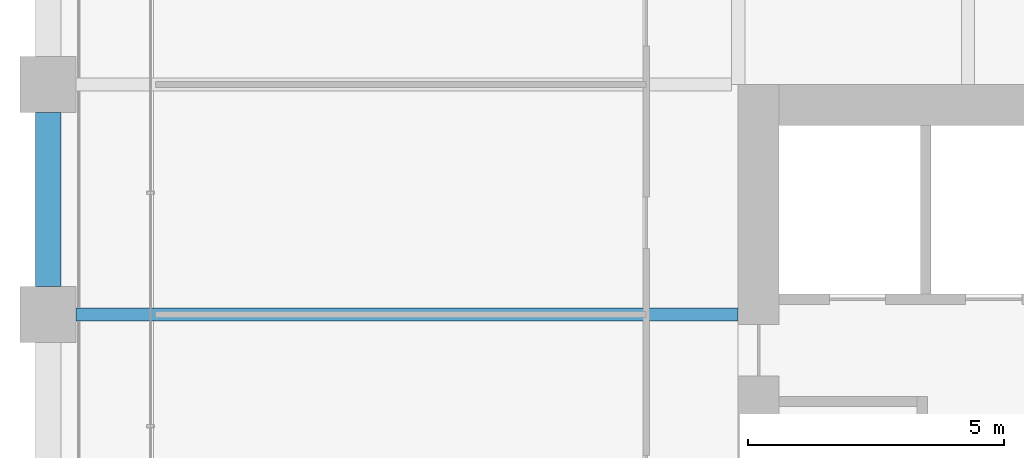
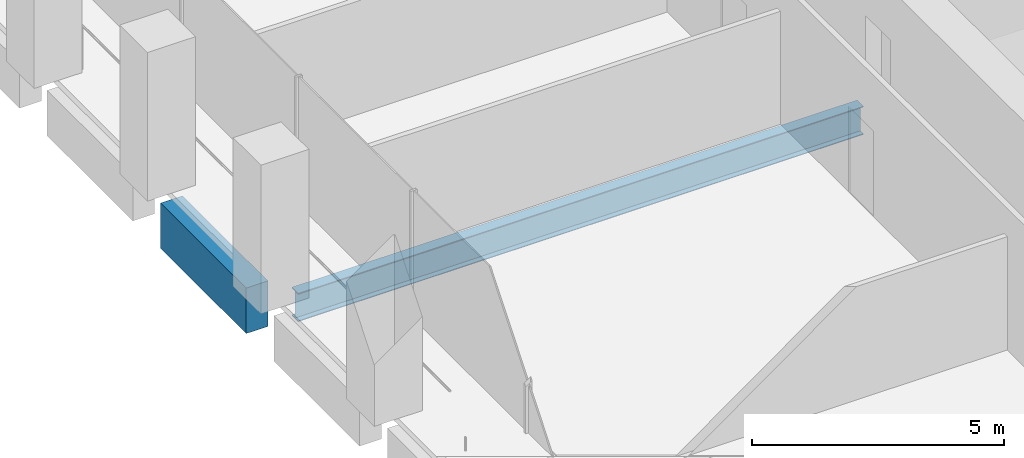
# One storey, part 13 of 56: 2 beams.
"""IFC4 building model written with IfcOpenShell, lengths in metres."""

import ifcopenshell
import ifcopenshell.guid

model = None  # the IFC model being written
_history = None  # IfcOwnerHistory: only IFC2X3 demands one
_inside = {}  # id of a spatial element -> (the spatial element, [elements in it])
_under = {}  # id of a project, library or spatial element -> (it, [spatial elements below it])
_declared = {}  # id of a project -> (the project, [libraries it declares])
_typed = {}  # id of a type object -> (the type object, [elements of that type])
_made_of = {}  # id of a material, layer set ... -> (it, [elements and type objects made of it])


def new_model(schema):
    """Start an empty IFC model of exactly this schema.

    Asked for "IFC4X3", IfcOpenShell would pick the latest addendum, in which some entities
    have other attributes; the version numbers below select the first issue.
    IFC2X3 requires an IfcOwnerHistory on every rooted entity: one is made here for all.
    """
    global model, _history
    if schema == "IFC4X3":
        model = ifcopenshell.file(schema_version=(4, 3, 0, 0))
    else:
        model = ifcopenshell.file(schema=schema)
    _inside.clear()
    _under.clear()
    _declared.clear()
    _typed.clear()
    _made_of.clear()
    _history = None
    if model.schema == "IFC2X3":
        org = make("IfcOrganization", Name="unknown")
        user = make(
            "IfcPersonAndOrganization",
            ThePerson=make("IfcPerson", FamilyName="unknown"),
            TheOrganization=org,
        )
        app = make(
            "IfcApplication",
            ApplicationDeveloper=org,
            Version="unknown",
            ApplicationFullName="unknown",
            ApplicationIdentifier="unknown",
        )
        _history = make(
            "IfcOwnerHistory",
            OwningUser=user,
            OwningApplication=app,
            ChangeAction="ADDED",
            CreationDate=0,
        )
    return model


def make(cls, **values):
    """One entity of the class cls with the attributes given. An attribute that is None is left unset."""
    return model.create_entity(
        cls, **{name: value for name, value in values.items() if value is not None}
    )


def rooted(cls, **values):
    """An entity with a GlobalId (a new one), such as an element, a storey or a relation."""
    return make(cls, GlobalId=ifcopenshell.guid.new(), OwnerHistory=_history, **values)


def si_unit(unit_type, name, prefix=None):
    """IfcSIUnit, for example si_unit("LENGTHUNIT", "METRE", prefix="MILLI")."""
    return make("IfcSIUnit", UnitType=unit_type, Prefix=prefix, Name=name)


def assignment(units):
    """IfcUnitAssignment: the units of a project."""
    return None if units is None else make("IfcUnitAssignment", Units=units)


def point(xyz):
    """IfcCartesianPoint."""
    return None if xyz is None else make("IfcCartesianPoint", Coordinates=xyz)


def direction(xyz):
    """IfcDirection."""
    return None if xyz is None else make("IfcDirection", DirectionRatios=xyz)


def frame(location, z_axis=None, x_axis=None):
    """IfcAxis2Placement3D, a coordinate frame: its origin and axes. An axis left out is left unset."""
    return make(
        "IfcAxis2Placement3D",
        Location=point(location),
        Axis=direction(z_axis),
        RefDirection=direction(x_axis),
    )


def frame_2d(location, x_axis=None):
    """IfcAxis2Placement2D, a coordinate frame in the plane: its origin and x axis."""
    return make(
        "IfcAxis2Placement2D", Location=point(location), RefDirection=direction(x_axis)
    )


def origin():
    """The frame at (0, 0, 0) with its axes left unset."""
    return frame((0.0, 0.0, 0.0))


def origin_2d():
    """The frame at (0, 0) in the plane with its x axis left unset."""
    return frame_2d((0.0, 0.0))


def place(relative_to, where):
    """IfcLocalPlacement: puts the frame where relative to a parent placement (None: the world)."""
    return make(
        "IfcLocalPlacement", PlacementRelTo=relative_to, RelativePlacement=where
    )


def context(
    kind, dimensions, precision=None, world=None, true_north=None, identifier=None
):
    """IfcGeometricRepresentationContext, for example the 3D "Model" context."""
    return make(
        "IfcGeometricRepresentationContext",
        ContextIdentifier=identifier,
        ContextType=kind,
        CoordinateSpaceDimension=dimensions,
        Precision=precision,
        WorldCoordinateSystem=world,
        TrueNorth=true_north,
    )


def subcontext(parent, identifier, kind, view, scale=None):
    """IfcGeometricRepresentationSubContext, for example "Body" below "Model"."""
    return make(
        "IfcGeometricRepresentationSubContext",
        ContextIdentifier=identifier,
        ContextType=kind,
        ParentContext=parent,
        TargetScale=scale,
        TargetView=view,
    )


def project(units=None, contexts=None):
    """IfcProject with its units and contexts."""
    return rooted(
        "IfcProject",
        Name="project",
        RepresentationContexts=contexts,
        UnitsInContext=assignment(units),
    )


def spatial(cls, under=None, at=None, **own):
    """A site, building, storey or space (cls), placed at a placement, below another one or the project."""
    s = rooted(cls, ObjectPlacement=at, **own)
    if under is not None:
        _under.setdefault(under.id(), (under, []))[1].append(s)
    return s


def profile(cls, at=None, kind="AREA", **sizes):
    """A parametric profile (cls). Its sizes go by their IFC names, for example OverallWidth=200.0."""
    return make(cls, ProfileType=kind, Position=at, **sizes)


def rectangle(**sizes):
    """IfcRectangleProfileDef."""
    return profile("IfcRectangleProfileDef", **sizes)


def i_section(**sizes):
    """IfcIShapeProfileDef."""
    return profile("IfcIShapeProfileDef", **sizes)


def extrude(swept, where, along, depth):
    """IfcExtrudedAreaSolid: the profile swept, set in the frame where, extruded along a direction by depth."""
    return make(
        "IfcExtrudedAreaSolid",
        SweptArea=swept,
        Position=where,
        ExtrudedDirection=direction(along),
        Depth=depth,
    )


def shape(context_of_items, identifier, shape_type, items):
    """IfcShapeRepresentation: the items that make up one representation, for example the "Body"."""
    return make(
        "IfcShapeRepresentation",
        ContextOfItems=context_of_items,
        RepresentationIdentifier=identifier,
        RepresentationType=shape_type,
        Items=items,
    )


def material(Name=None, Category=None):
    """IfcMaterial."""
    return make("IfcMaterial", Name=Name, Category=Category)


def material_profile(
    of_material, cross_section, Name=None, Category=None, Priority=None
):
    """IfcMaterialProfile: a cross section and its material."""
    return make(
        "IfcMaterialProfile",
        Name=Name,
        Material=of_material,
        Profile=cross_section,
        Priority=Priority,
        Category=Category,
    )


def profile_set(profiles, Name=None, composite=None):
    """IfcMaterialProfileSet."""
    return make(
        "IfcMaterialProfileSet",
        Name=Name,
        MaterialProfiles=profiles,
        CompositeProfile=composite,
    )


def made_of(thing, what):
    """Note that an element or type object is made of a material, layer set ...; save() writes the relation."""
    if what is not None:
        _made_of.setdefault(what.id(), (what, []))[1].append(thing)
    return thing


def type_object(cls, material=None, **own):
    """A type object (cls), such as IfcWallType, which elements share."""
    return made_of(rooted(cls, **own), material)


def element(
    cls,
    number,
    at=None,
    inside=None,
    cuts=None,
    type_object=None,
    material=None,
    context=None,
    identifier="Body",
    shape_type=None,
    held_by="IfcProductDefinitionShape",
    body=None,
    shapes=None,
    **own,
):
    """One element of the class cls, such as IfcWall. Its Tag is "e" and its number.

    at: its placement. inside: the storey or other place that contains it. cuts: it is an
    opening in that element (IfcRelVoidsElement). A single representation is given by context,
    identifier, shape_type and body (its items); several are given by shapes. held_by: the class
    of the entity that holds the representations. save() writes the other relations.
    """
    e = rooted(cls, Tag="e%d" % number, ObjectPlacement=at, **own)
    if body is not None:
        shapes = [shape(context, identifier, shape_type, body)]
    if shapes is not None:
        e.Representation = make(held_by, Representations=shapes)
    if inside is not None:
        _inside.setdefault(inside.id(), (inside, []))[1].append(e)
    if cuts is not None:
        rooted(
            "IfcRelVoidsElement", RelatingBuildingElement=cuts, RelatedOpeningElement=e
        )
    if type_object is not None:
        _typed.setdefault(type_object.id(), (type_object, []))[1].append(e)
    return made_of(e, material)


def aggregate(whole, parts):
    """IfcRelAggregates: a whole, such as a stair, and the parts it consists of."""
    return rooted("IfcRelAggregates", RelatingObject=whole, RelatedObjects=parts)


def save(model, path):
    """Write the relations noted so far, then the file.

    IfcRelAggregates (storeys below a building ...), IfcRelContainedInSpatialStructure (elements
    in a storey), IfcRelDefinesByType, IfcRelAssociatesMaterial and IfcRelDeclares: one each for
    every whole, place, type object, material and project.
    """
    for whole, parts in _under.values():
        aggregate(whole, parts)
    for where, things in _inside.values():
        rooted(
            "IfcRelContainedInSpatialStructure",
            RelatedElements=things,
            RelatingStructure=where,
        )
    for kind, things in _typed.values():
        rooted("IfcRelDefinesByType", RelatedObjects=things, RelatingType=kind)
    for what, things in _made_of.values():
        rooted("IfcRelAssociatesMaterial", RelatedObjects=things, RelatingMaterial=what)
    for by, libraries in _declared.values():
        rooted("IfcRelDeclares", RelatingContext=by, RelatedDefinitions=libraries)
    model.write(path)


model = new_model("IFC4")

# Units and contexts
model_context = context("Model", 3, precision=1e-05, world=origin(), true_north=direction((0.0, 1.0)))
body_context = subcontext(model_context, "Body", "Model", "MODEL_VIEW")
ifc_project = project(units=[si_unit("LENGTHUNIT", "METRE"), si_unit("AREAUNIT", "SQUARE_METRE"), si_unit("VOLUMEUNIT", "CUBIC_METRE"), si_unit("PLANEANGLEUNIT", "RADIAN"), si_unit("MASSUNIT", "GRAM", prefix="KILO")], contexts=[model_context])

# Site, building, storey
site_placement = place(None, origin())
site = spatial("IfcSite", under=ifc_project, at=site_placement, CompositionType="ELEMENT")
building_placement = place(site_placement, origin())
building = spatial("IfcBuilding", under=site, at=building_placement, Name="Altepetl Exchange Towers", CompositionType="ELEMENT")
storey_placement = place(building_placement, frame((0.0, 0.0, 79.800048828125)))
storey = spatial("IfcBuildingStorey", under=building, at=storey_placement, Name="L19", CompositionType="ELEMENT", Elevation=79.800048828125)

# Beams
ifc_material_1 = material(Name="Steel S355", Category="steel")
ifc_material_profile_1 = material_profile(ifc_material_1, i_section(OverallWidth=0.25390625, OverallDepth=0.68408203125, WebThickness=0.012451171875, FlangeThickness=0.018798828125, at=origin_2d()), Name="W27X94")
ifc_profile_set_1 = profile_set([ifc_material_profile_1], Name="Steel S355")
beam_type_1 = type_object("IfcBeamType", Name="Floor beam W27X94", PredefinedType="BEAM", material=ifc_profile_set_1)
beam_1_placement = place(storey_placement, frame((27.550048828125, 54.0, -0.491943359375), z_axis=(1.0, 0.0, 0.0), x_axis=(0.0, 1.0, 0.0)))
element("IfcBeam", 1, at=beam_1_placement, inside=storey, type_object=beam_type_1, Name="bm:A:L19:020", PredefinedType="BEAM", context=body_context, shape_type="SweptSolid", body=[
    extrude(i_section(OverallWidth=0.25390625, OverallDepth=0.68408203125, WebThickness=0.012451171875, FlangeThickness=0.018798828125, at=origin_2d()), origin(), (0.0, 0.0, 1.0), 12.949951171875),
])
ifc_material_2 = material(Name="Concrete C50/60 precast with tezontle facing", Category="concrete")
ifc_material_profile_2 = material_profile(ifc_material_2, rectangle(XDim=0.5, YDim=1.10009765625, at=origin_2d()), Name="500 x 1100")
ifc_profile_set_2 = profile_set([ifc_material_profile_2], Name="Concrete C50/60 precast with tezontle facing")
beam_type_2 = type_object("IfcBeamType", Name="Spandrel beam 500x1100 tezontle", PredefinedType="SPANDREL", material=ifc_profile_set_2)
beam_2_placement = place(storey_placement, frame((27.0, 57.949951171875, -0.699951171875), z_axis=(0.0, -1.0, 0.0), x_axis=(1.0, 0.0, 0.0)))
element("IfcBeam", 2, at=beam_2_placement, inside=storey, type_object=beam_type_2, Name="sp:A:L19:038", PredefinedType="SPANDREL", context=body_context, shape_type="SweptSolid", body=[
    extrude(rectangle(XDim=0.5, YDim=1.10009765625, at=origin_2d()), origin(), (0.0, 0.0, 1.0), 3.39990234375),
])

save(model, "model.ifc")
